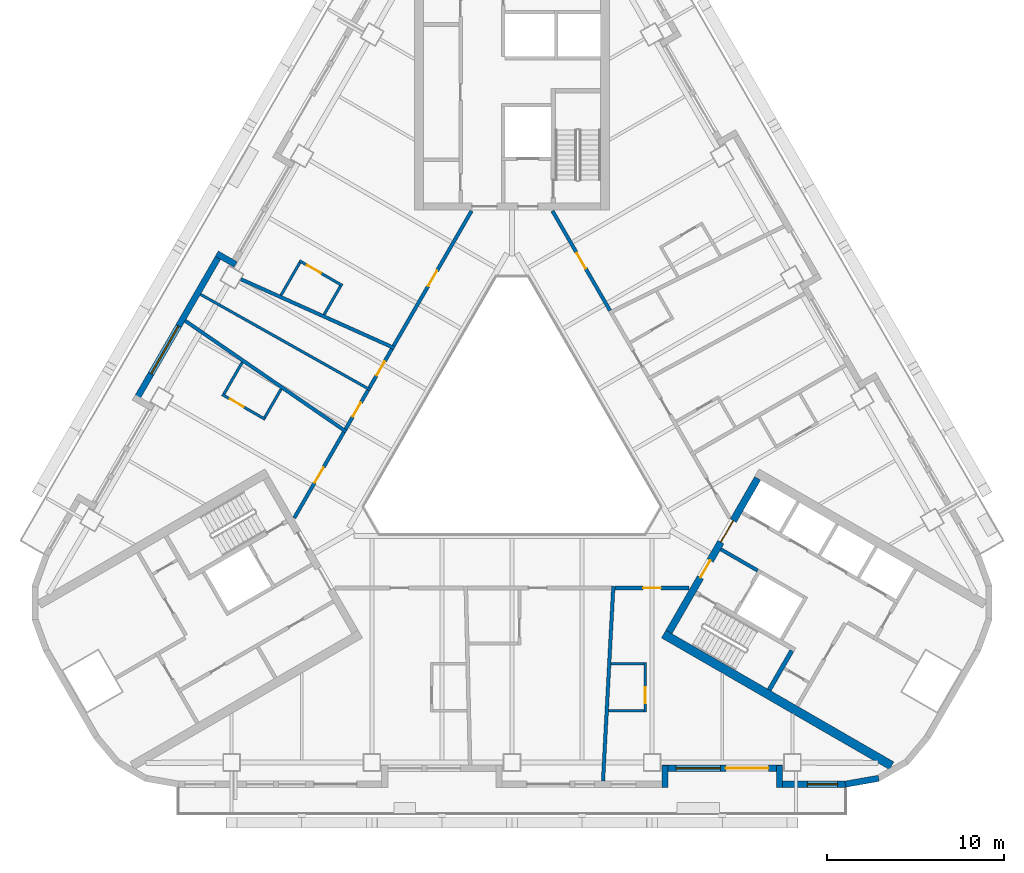
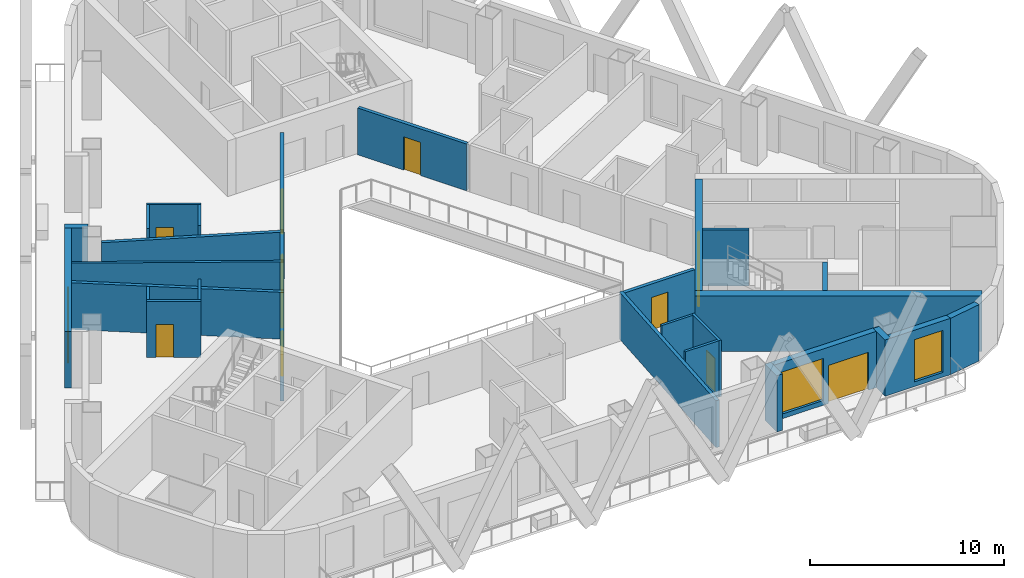
# One storey, part 4 of 13: 30 walls, 12 doors, 3 windows, 15 openings.
"""IFC4 building model written with IfcOpenShell, lengths in metres."""

from ifc_helpers import new_model, si_unit, direction, frame, frame_2d, origin, place, context, subcontext, project, spatial, rectangle, extrude, material, layer, layer_set, type_object, element, fill, save


model = new_model("IFC4")

# Units and contexts
model_context = context("Model", 3, precision=1e-05, world=origin(), true_north=direction((0.0, 1.0)))
body_context = subcontext(model_context, "Body", "Model", "MODEL_VIEW")
ifc_project = project(units=[si_unit("LENGTHUNIT", "METRE"), si_unit("AREAUNIT", "SQUARE_METRE"), si_unit("VOLUMEUNIT", "CUBIC_METRE"), si_unit("PLANEANGLEUNIT", "RADIAN"), si_unit("MASSUNIT", "GRAM", prefix="KILO")], contexts=[model_context])

# Site, building, storey
site_placement = place(None, origin())
site = spatial("IfcSite", under=ifc_project, at=site_placement, CompositionType="ELEMENT")
building_placement = place(site_placement, origin())
building = spatial("IfcBuilding", under=site, at=building_placement, Name="Apuvela Tower Hotel", CompositionType="ELEMENT")
storey_placement = place(building_placement, frame((0.0, 0.0, 83.5)))
storey = spatial("IfcBuildingStorey", under=building, at=storey_placement, Name="L18", CompositionType="ELEMENT", Elevation=83.5)

# Wall, openings, doors
ifc_material_1 = material(Name="Concrete C50/60", Category="concrete")
ifc_layer_1 = layer(ifc_material_1, 0.39990234375)
ifc_layer_set_1 = layer_set([ifc_layer_1], Name="COR-WALL-CORE-400")
wall_type_1 = type_object("IfcWallType", Name="COR-WALL-CORE-400", PredefinedType="SHEAR", material=ifc_layer_set_1)
wall_1_placement = place(storey_placement, frame((8.844970703125, -10.880126953125, 0.0), z_axis=(0.0, 0.0, 1.0), x_axis=(0.500004234368, 0.866022959057, 0.0)))
wall_1 = element("IfcWall", 1, at=wall_1_placement, inside=storey, type_object=wall_type_1, Name="Core wall SE", PredefinedType="SHEAR", context=body_context, shape_type="SweptSolid", body=[
    extrude(rectangle(XDim=10.0, YDim=0.39990234375, at=frame_2d((5.0, 0.0))), origin(), (0.0, 0.0, 1.0), 3.5),
])
opening_1_placement = place(wall_1_placement, frame((3.550048828125, 0.0, 0.0)))
opening_1 = element("IfcOpeningElement", 2, at=opening_1_placement, cuts=wall_1, Name="Opening E-FD", PredefinedType="OPENING", context=body_context, shape_type="SweptSolid", body=[
    extrude(rectangle(XDim=1.10009765625, YDim=2.10009765625, at=frame_2d((0.550048828125, 1.050048828125))), frame((0.0, 0.2099609375, 0.0), z_axis=(0.0, -1.0, 0.0), x_axis=(1.0, 0.0, 0.0)), (0.0, 0.0, 1.0), 0.419921875),
])
opening_2_placement = place(wall_1_placement, frame((5.85009765625, 0.0, 0.0)))
opening_2 = element("IfcOpeningElement", 3, at=opening_2_placement, cuts=wall_1, Name="Opening E-GD", PredefinedType="OPENING", context=body_context, shape_type="SweptSolid", body=[
    extrude(rectangle(XDim=1.39990234375, YDim=2.10009765625, at=frame_2d((0.699951171875, 1.050048828125))), frame((0.0, 0.2099609375, 0.0), z_axis=(0.0, -1.0, 0.0), x_axis=(1.0, 0.0, 0.0)), (0.0, 0.0, 1.0), 0.419921875),
])
ifc_material_2 = material(Name="Steel fire door, powder coated", Category="steel")
door_type_1 = type_object("IfcDoorType", Name="COR-FD-1100", OperationType="NOTDEFINED", PredefinedType="DOOR", material=ifc_material_2)
door_1_placement = place(opening_1_placement, frame((1.10009765625, 0.0, 0.0), z_axis=(0.0, 0.0, 1.0), x_axis=(-1.0, 0.0, 0.0)))
door_1 = element("IfcDoor", 4, at=door_1_placement, inside=storey, type_object=door_type_1, Name="Firefighting lobby door E-FD", OperationType="SINGLE_SWING_LEFT", OverallHeight=2.10009765625, OverallWidth=1.10009765625, PredefinedType="DOOR", context=body_context, shape_type="SweptSolid", body=[
    extrude(rectangle(XDim=1.10009765625, YDim=2.10009765625, at=frame_2d((0.550048828125, 1.050048828125))), frame((0.0, 0.02490234375, 0.0), z_axis=(0.0, -1.0, 0.0), x_axis=(1.0, 0.0, 0.0)), (0.0, 0.0, 1.0), 0.050048828125),
])
fill(opening_1, door_1)
ifc_material_3 = material(Name="Glazed steel fire door", Category="steel")
door_type_2 = type_object("IfcDoorType", Name="COR-GD-1400", OperationType="DOUBLE_DOOR_SINGLE_SWING", PredefinedType="DOOR", material=ifc_material_3)
door_2_placement = place(opening_2_placement, frame((1.39990234375, 0.0, 0.0), z_axis=(0.0, 0.0, 1.0), x_axis=(-1.0, 0.0, 0.0)))
door_2 = element("IfcDoor", 5, at=door_2_placement, inside=storey, type_object=door_type_2, Name="Lift lobby door E-GD", OperationType="DOUBLE_DOOR_SINGLE_SWING", OverallHeight=2.10009765625, OverallWidth=1.39990234375, PredefinedType="DOOR", context=body_context, shape_type="SweptSolid", body=[
    extrude(rectangle(XDim=1.39990234375, YDim=2.10009765625, at=frame_2d((0.699951171875, 1.050048828125))), frame((0.0, 0.02490234375, 0.0), z_axis=(0.0, -1.0, 0.0), x_axis=(1.0, 0.0, 0.0)), (0.0, 0.0, 1.0), 0.050048828125),
])
fill(opening_2, door_2)

# Walls
ifc_layer_2 = layer(ifc_material_1, 0.5)
ifc_layer_set_2 = layer_set([ifc_layer_2], Name="COR-WALL-CORE-500")
wall_type_2 = type_object("IfcWallType", Name="COR-WALL-CORE-500", PredefinedType="SHEAR", material=ifc_layer_set_2)
wall_2_placement = place(storey_placement, frame((8.546630859375, -10.99658203125, 0.0), z_axis=(0.0, 0.0, 1.0), x_axis=(0.866025009528, -0.500000682871, 0.0)))
element("IfcWall", 6, at=wall_2_placement, inside=storey, type_object=wall_type_2, Name="Core wall SE", PredefinedType="SHEAR", context=body_context, shape_type="SweptSolid", body=[
    extrude(rectangle(XDim=14.8369140625, YDim=0.5, at=frame_2d((7.41845703125, 0.0))), origin(), (0.0, 0.0, 1.0), 3.5),
])
ifc_layer_3 = layer(ifc_material_1, 0.199951171875)
ifc_layer_set_3 = layer_set([ifc_layer_3], Name="COR-WALL-SHAFT-200")
wall_type_3 = type_object("IfcWallType", Name="COR-WALL-SHAFT-200", PredefinedType="SHEAR", material=ifc_layer_set_3)
wall_3_placement = place(storey_placement, frame((11.76806640625, -6.217041015625, 0.0), z_axis=(0.0, 0.0, 1.0), x_axis=(0.866050077142, -0.499957262057, 0.0)))
element("IfcWall", 7, at=wall_3_placement, inside=storey, type_object=wall_type_3, Name="Shaft wall SE", PredefinedType="SHEAR", context=body_context, shape_type="SweptSolid", body=[
    extrude(rectangle(XDim=2.400146484375, YDim=0.199951171875, at=frame_2d((1.2001953125, 0.0))), origin(), (0.0, 0.0, 1.0), 3.5),
])
ifc_layer_4 = layer(ifc_material_1, 0.25)
ifc_layer_set_4 = layer_set([ifc_layer_4], Name="COR-WALL-STAIR-250")
wall_type_4 = type_object("IfcWallType", Name="COR-WALL-STAIR-250", PredefinedType="SHEAR", material=ifc_layer_set_4)
wall_4_placement = place(storey_placement, frame((14.49560546875, -14.142578125, 0.0), z_axis=(0.0, 0.0, 1.0), x_axis=(0.500062241894, 0.865989465428, 0.0)))
element("IfcWall", 8, at=wall_4_placement, inside=storey, type_object=wall_type_4, Name="Stair wall SE", PredefinedType="SHEAR", context=body_context, shape_type="SweptSolid", body=[
    extrude(rectangle(XDim=2.550048828125, YDim=0.25, at=frame_2d((1.27490234375, 0.0))), origin(), (0.0, 0.0, 1.0), 3.5),
])
ifc_material_4 = material(Name="Concrete C40/50, dark pigmented precast panel", Category="concrete")
ifc_layer_5 = layer(ifc_material_4, 0.35009765625)
ifc_layer_set_5 = layer_set([ifc_layer_5], Name="ENV-WALL-350")
wall_type_5 = type_object("IfcWallType", Name="ENV-WALL-350", PredefinedType="SOLIDWALL", material=ifc_layer_set_5)
wall_5_placement = place(storey_placement, frame((-15.580810546875, 9.8330078125, 0.0), z_axis=(0.0, 0.0, 1.0), x_axis=(-0.866055662726, 0.499947586314, 0.0)))
element("IfcWall", 9, at=wall_5_placement, inside=storey, type_object=wall_type_5, Name="External wall L18-04", PredefinedType="SOLIDWALL", context=body_context, shape_type="SweptSolid", body=[
    extrude(rectangle(XDim=1.220458984375, YDim=0.35009765625, at=frame_2d((0.6103515625, 0.0))), origin(), (0.0, 0.0, 1.0), 3.550048828125),
])

# Wall, opening, window
wall_6_placement = place(storey_placement, frame((-16.3984375, 10.507080078125, 0.0), z_axis=(0.0, 0.0, 1.0), x_axis=(-0.499999142773, -0.866025898704, 0.0)))
wall_6 = element("IfcWall", 10, at=wall_6_placement, inside=storey, type_object=wall_type_5, Name="External wall L18-05", PredefinedType="SOLIDWALL", context=body_context, shape_type="SweptSolid", body=[
    extrude(rectangle(XDim=9.7001953125, YDim=0.35009765625, at=frame_2d((4.85009765625, 0.0))), origin(), (0.0, 0.0, 1.0), 3.550048828125),
])
opening_3_placement = place(wall_6_placement, frame((4.7900390625, 0.0, 0.300048828125)))
opening_3 = element("IfcOpeningElement", 11, at=opening_3_placement, cuts=wall_6, Name="Opening WN31", PredefinedType="OPENING", context=body_context, shape_type="SweptSolid", body=[
    extrude(rectangle(XDim=3.10009765625, YDim=2.64990234375, at=frame_2d((1.550048828125, 1.324951171875))), frame((0.0, 0.18505859375, 0.0), z_axis=(0.0, -1.0, 0.0), x_axis=(1.0, 0.0, 0.0)), (0.0, 0.0, 1.0), 0.3701171875),
])
ifc_material_5 = material(Name="Glass, dark tinted laminated insulated glazing unit", Category="glass")
window_type_1 = type_object("IfcWindowType", Name="ENV-WIN-3100x2650", PartitioningType="SINGLE_PANEL", PredefinedType="WINDOW", material=ifc_material_5)
window_1_placement = place(opening_3_placement, origin())
window_1 = element("IfcWindow", 12, at=window_1_placement, inside=storey, type_object=window_type_1, Name="Window WN31", OverallHeight=2.64990234375, OverallWidth=3.10009765625, PartitioningType="SINGLE_PANEL", PredefinedType="WINDOW", context=body_context, shape_type="SweptSolid", body=[
    extrude(rectangle(XDim=3.10009765625, YDim=2.64990234375, at=frame_2d((1.550048828125, 1.324951171875))), frame((0.0, 0.030029296875, 0.0), z_axis=(0.0, -1.0, 0.0), x_axis=(1.0, 0.0, 0.0)), (0.0, 0.0, 1.0), 0.06005859375),
])
fill(opening_3, window_1)

# Wall
wall_7_placement = place(storey_placement, frame((8.625, -19.6298828125, 0.0), z_axis=(0.0, 0.0, 1.0), x_axis=(0.0, 1.0, 0.0)))
element("IfcWall", 13, at=wall_7_placement, inside=storey, type_object=wall_type_5, Name="External wall L18-22", PredefinedType="SOLIDWALL", context=body_context, shape_type="SweptSolid", body=[
    extrude(rectangle(XDim=1.219970703125, YDim=0.35009765625, at=frame_2d((0.60986328125, 0.0))), origin(), (0.0, 0.0, 1.0), 3.550048828125),
])

# Wall, openings, door, window
wall_8_placement = place(storey_placement, frame((8.47998046875, -18.554931640625, 0.0), z_axis=(0.0, 0.0, 1.0), x_axis=(1.0, 0.0, 0.0)))
wall_8 = element("IfcWall", 14, at=wall_8_placement, inside=storey, type_object=wall_type_5, Name="External wall L18-23", PredefinedType="SOLIDWALL", context=body_context, shape_type="SweptSolid", body=[
    extrude(rectangle(XDim=6.739990234375, YDim=0.35009765625, at=frame_2d((3.3701171875, 0.0))), origin(), (0.0, 0.0, 1.0), 3.550048828125),
])
opening_4_placement = place(wall_8_placement, frame((3.570068359375, 0.0, 0.0)))
opening_4 = element("IfcOpeningElement", 15, at=opening_4_placement, cuts=wall_8, Name="Opening BD24", PredefinedType="OPENING", context=body_context, shape_type="SweptSolid", body=[
    extrude(rectangle(XDim=2.39990234375, YDim=2.39990234375, at=frame_2d((1.199951171875, 1.199951171875))), frame((0.0, 0.18505859375, 0.0), z_axis=(0.0, -1.0, 0.0), x_axis=(1.0, 0.0, 0.0)), (0.0, 0.0, 1.0), 0.3701171875),
])
opening_5_placement = place(wall_8_placement, frame((0.77001953125, 0.0, 0.300048828125)))
opening_5 = element("IfcOpeningElement", 16, at=opening_5_placement, cuts=wall_8, Name="Opening WN25", PredefinedType="OPENING", context=body_context, shape_type="SweptSolid", body=[
    extrude(rectangle(XDim=2.5, YDim=2.64990234375, at=frame_2d((1.25, 1.324951171875))), frame((0.0, 0.18505859375, 0.0), z_axis=(0.0, -1.0, 0.0), x_axis=(1.0, 0.0, 0.0)), (0.0, 0.0, 1.0), 0.3701171875),
])
ifc_material_6 = material(Name="Aluminium 6063-T6, dark bronze anodised frame with dark tinted laminated glass", Category="aluminium")
door_type_3 = type_object("IfcDoorType", Name="ENV-DOOR-BALCONY-2400x2400", OperationType="SLIDING_TO_LEFT", PredefinedType="DOOR", material=ifc_material_6)
door_3_placement = place(opening_4_placement, frame((2.39990234375, 0.0, 0.0), z_axis=(0.0, 0.0, 1.0), x_axis=(-1.0, 0.0, 0.0)))
door_3 = element("IfcDoor", 17, at=door_3_placement, inside=storey, type_object=door_type_3, Name="Balcony door BD24", OperationType="SLIDING_TO_LEFT", OverallHeight=2.39990234375, OverallWidth=2.39990234375, PredefinedType="DOOR", context=body_context, shape_type="SweptSolid", body=[
    extrude(rectangle(XDim=2.39990234375, YDim=2.39990234375, at=frame_2d((1.199951171875, 1.199951171875))), frame((0.0, 0.02490234375, 0.0), z_axis=(0.0, -1.0, 0.0), x_axis=(1.0, 0.0, 0.0)), (0.0, 0.0, 1.0), 0.050048828125),
])
fill(opening_4, door_3)
window_type_2 = type_object("IfcWindowType", Name="ENV-WIN-2500x2650", PartitioningType="SINGLE_PANEL", PredefinedType="WINDOW", material=ifc_material_5)
window_2_placement = place(opening_5_placement, origin())
window_2 = element("IfcWindow", 18, at=window_2_placement, inside=storey, type_object=window_type_2, Name="Window WN25", OverallHeight=2.64990234375, OverallWidth=2.5, PartitioningType="SINGLE_PANEL", PredefinedType="WINDOW", context=body_context, shape_type="SweptSolid", body=[
    extrude(rectangle(XDim=2.5, YDim=2.64990234375, at=frame_2d((1.25, 1.324951171875))), frame((0.0, 0.030029296875, 0.0), z_axis=(0.0, -1.0, 0.0), x_axis=(1.0, 0.0, 0.0)), (0.0, 0.0, 1.0), 0.06005859375),
])
fill(opening_5, window_2)

# Wall
wall_9_placement = place(storey_placement, frame((15.074951171875, -18.409912109375, 0.0), z_axis=(0.0, 0.0, 1.0), x_axis=(0.0, -1.0, 0.0)))
element("IfcWall", 19, at=wall_9_placement, inside=storey, type_object=wall_type_5, Name="External wall L18-24", PredefinedType="SOLIDWALL", context=body_context, shape_type="SweptSolid", body=[
    extrude(rectangle(XDim=1.219970703125, YDim=0.35009765625, at=frame_2d((0.60986328125, 0.0))), origin(), (0.0, 0.0, 1.0), 3.550048828125),
])

# Wall, opening, window
wall_10_placement = place(storey_placement, frame((14.89990234375, -19.455078125, 0.0), z_axis=(0.0, 0.0, 1.0), x_axis=(1.0, 0.0, 0.0)))
wall_10 = element("IfcWall", 20, at=wall_10_placement, inside=storey, type_object=wall_type_5, Name="External wall L18-25", PredefinedType="SOLIDWALL", context=body_context, shape_type="SweptSolid", body=[
    extrude(rectangle(XDim=3.916015625, YDim=0.35009765625, at=frame_2d((1.9580078125, 0.0))), origin(), (0.0, 0.0, 1.0), 3.550048828125),
])
opening_6_placement = place(wall_10_placement, frame((1.749755859375, 0.0, 0.300048828125)))
opening_6 = element("IfcOpeningElement", 21, at=opening_6_placement, cuts=wall_10, Name="Opening WN17", PredefinedType="OPENING", context=body_context, shape_type="SweptSolid", body=[
    extrude(rectangle(XDim=1.699951171875, YDim=2.64990234375, at=frame_2d((0.85009765625, 1.324951171875))), frame((0.0, 0.18505859375, 0.0), z_axis=(0.0, -1.0, 0.0), x_axis=(1.0, 0.0, 0.0)), (0.0, 0.0, 1.0), 0.3701171875),
])
window_type_3 = type_object("IfcWindowType", Name="ENV-WIN-1700x2650", PartitioningType="SINGLE_PANEL", PredefinedType="WINDOW", material=ifc_material_5)
window_3_placement = place(opening_6_placement, origin())
window_3 = element("IfcWindow", 22, at=window_3_placement, inside=storey, type_object=window_type_3, Name="Window WN17", OverallHeight=2.64990234375, OverallWidth=1.699951171875, PartitioningType="SINGLE_PANEL", PredefinedType="WINDOW", context=body_context, shape_type="SweptSolid", body=[
    extrude(rectangle(XDim=1.699951171875, YDim=2.64990234375, at=frame_2d((0.85009765625, 1.324951171875))), frame((0.0, 0.030029296875, 0.0), z_axis=(0.0, -1.0, 0.0), x_axis=(1.0, 0.0, 0.0)), (0.0, 0.0, 1.0), 0.06005859375),
])
fill(opening_6, window_3)

# Walls
wall_11_placement = place(storey_placement, frame((18.785400390625, -19.457763671875, 0.0), z_axis=(0.0, 0.0, 1.0), x_axis=(0.984798995425, 0.173697837091, 0.0)))
element("IfcWall", 23, at=wall_11_placement, inside=storey, type_object=wall_type_5, Name="External wall L18-26", PredefinedType="SOLIDWALL", context=body_context, shape_type="SweptSolid", body=[
    extrude(rectangle(XDim=1.91015625, YDim=0.35009765625, at=frame_2d((0.955078125, 0.0))), origin(), (0.0, 0.0, 1.0), 3.550048828125),
])
ifc_material_7 = material(Name="Gypsum board partition on twin steel stud", Category="steel")
ifc_layer_6 = layer(ifc_material_7, 0.199951171875)
ifc_layer_set_6 = layer_set([ifc_layer_6], Name="GST-PW1")
wall_type_6 = type_object("IfcWallType", Name="GST-PW1", PredefinedType="PARTITIONING", material=ifc_layer_set_6)
wall_12_placement = place(storey_placement, frame((5.1298828125, -19.280029296875, 0.0), z_axis=(0.0, 0.0, 1.0), x_axis=(0.052823378142, 0.998603870772, 0.0)))
element("IfcWall", 24, at=wall_12_placement, inside=storey, type_object=wall_type_6, Name="L18 partition 02", PredefinedType="PARTITIONING", context=body_context, shape_type="SweptSolid", body=[
    extrude(rectangle(XDim=10.995361328125, YDim=0.199951171875, at=frame_2d((5.49755859375, 0.0))), origin(), (0.0, 0.0, 1.0), 2.9599609375),
])
wall_13_placement = place(storey_placement, frame((-15.275390625, 9.001953125, 0.0), z_axis=(0.0, 0.0, 1.0), x_axis=(0.912310970981, -0.409498097954, 0.0)))
element("IfcWall", 25, at=wall_13_placement, inside=storey, type_object=wall_type_6, Name="L18 partition 06", PredefinedType="PARTITIONING", context=body_context, shape_type="SweptSolid", body=[
    extrude(rectangle(XDim=9.47900390625, YDim=0.199951171875, at=frame_2d((4.739501953125, 0.0))), origin(), (0.0, 0.0, 1.0), 2.949951171875),
])
wall_14_placement = place(storey_placement, frame((-18.4169921875, 6.660888671875, 0.0), z_axis=(0.0, 0.0, 1.0), x_axis=(0.823524858714, -0.56728018393, 0.0)))
element("IfcWall", 26, at=wall_14_placement, inside=storey, type_object=wall_type_6, Name="L18 partition 07", PredefinedType="PARTITIONING", context=body_context, shape_type="SweptSolid", body=[
    extrude(rectangle(XDim=11.014892578125, YDim=0.199951171875, at=frame_2d((5.50732421875, 0.0))), origin(), (0.0, 0.0, 1.0), 2.949951171875),
])

# Wall, opening, door
ifc_material_8 = material(Name="Gypsum board corridor wall on twin steel stud, acoustic", Category="steel")
ifc_layer_7 = layer(ifc_material_8, 0.199951171875)
ifc_layer_set_7 = layer_set([ifc_layer_7], Name="GST-PW2")
wall_type_7 = type_object("IfcWallType", Name="GST-PW2", PredefinedType="PARTITIONING", material=ifc_layer_set_7)
wall_15_placement = place(storey_placement, frame((9.98828125, -8.39990234375, 0.0), z_axis=(0.0, 0.0, 1.0), x_axis=(-1.0, 0.0, 0.0)))
wall_15 = element("IfcWall", 27, at=wall_15_placement, inside=storey, type_object=wall_type_7, Name="L18 partition 15", PredefinedType="PARTITIONING", context=body_context, shape_type="SweptSolid", body=[
    extrude(rectangle(XDim=4.182861328125, YDim=0.199951171875, at=frame_2d((2.09130859375, 0.0))), origin(), (0.0, 0.0, 1.0), 2.949951171875),
])
opening_7_placement = place(wall_15_placement, frame((1.59130859375, 0.0, 0.0)))
opening_7 = element("IfcOpeningElement", 28, at=opening_7_placement, cuts=wall_15, Name="Opening GD05-06", PredefinedType="OPENING", context=body_context, shape_type="SweptSolid", body=[
    extrude(rectangle(XDim=1.0, YDim=2.10009765625, at=frame_2d((0.5, 1.050048828125))), frame((0.0, 0.10986328125, 0.0), z_axis=(0.0, -1.0, 0.0), x_axis=(1.0, 0.0, 0.0)), (0.0, 0.0, 1.0), 0.219970703125),
])
ifc_material_9 = material(Name="Timber door leaf in steel frame", Category="steel")
door_type_4 = type_object("IfcDoorType", Name="GST-D1", OperationType="NOTDEFINED", PredefinedType="DOOR", material=ifc_material_9)
door_4_placement = place(opening_7_placement, origin())
door_4 = element("IfcDoor", 29, at=door_4_placement, inside=storey, type_object=door_type_4, Name="Door L18-06", OperationType="SINGLE_SWING_RIGHT", OverallHeight=2.10009765625, OverallWidth=1.0, PredefinedType="DOOR", context=body_context, shape_type="SweptSolid", body=[
    extrude(rectangle(XDim=1.0, YDim=2.10009765625, at=frame_2d((0.5, 1.050048828125))), frame((0.0, 0.02490234375, 0.0), z_axis=(0.0, -1.0, 0.0), x_axis=(1.0, 0.0, 0.0)), (0.0, 0.0, 1.0), 0.050048828125),
])
fill(opening_7, door_4)

wall_16_placement = place(storey_placement, frame((2.280517578125, 12.85009765625, 0.0), z_axis=(0.0, 0.0, 1.0), x_axis=(0.500015893381, -0.866016227542, 0.0)))
wall_16 = element("IfcWall", 30, at=wall_16_placement, inside=storey, type_object=wall_type_7, Name="L18 partition 29", PredefinedType="PARTITIONING", context=body_context, shape_type="SweptSolid", body=[
    extrude(rectangle(XDim=6.481689453125, YDim=0.199951171875, at=frame_2d((3.24072265625, 0.0))), origin(), (0.0, 0.0, 1.0), 2.949951171875),
])
opening_8_placement = place(wall_16_placement, frame((2.74072265625, 0.0, 0.0)))
opening_8 = element("IfcOpeningElement", 31, at=opening_8_placement, cuts=wall_16, Name="Opening GD05-14", PredefinedType="OPENING", context=body_context, shape_type="SweptSolid", body=[
    extrude(rectangle(XDim=1.0, YDim=2.10009765625, at=frame_2d((0.5, 1.050048828125))), frame((0.0, 0.10986328125, 0.0), z_axis=(0.0, -1.0, 0.0), x_axis=(1.0, 0.0, 0.0)), (0.0, 0.0, 1.0), 0.219970703125),
])
door_5_placement = place(opening_8_placement, origin())
door_5 = element("IfcDoor", 32, at=door_5_placement, inside=storey, type_object=door_type_4, Name="Door L18-14", OperationType="SINGLE_SWING_RIGHT", OverallHeight=2.10009765625, OverallWidth=1.0, PredefinedType="DOOR", context=body_context, shape_type="SweptSolid", body=[
    extrude(rectangle(XDim=1.0, YDim=2.10009765625, at=frame_2d((0.5, 1.050048828125))), frame((0.0, 0.02490234375, 0.0), z_axis=(0.0, -1.0, 0.0), x_axis=(1.0, 0.0, 0.0)), (0.0, 0.0, 1.0), 0.050048828125),
])
fill(opening_8, door_5)

wall_17_placement = place(storey_placement, frame((-6.669189453125, 5.24853515625, 0.0), z_axis=(0.0, 0.0, 1.0), x_axis=(0.499992114976, 0.866029956157, 0.0)))
wall_17 = element("IfcWall", 33, at=wall_17_placement, inside=storey, type_object=wall_type_7, Name="L18 partition 33", PredefinedType="PARTITIONING", context=body_context, shape_type="SweptSolid", body=[
    extrude(rectangle(XDim=8.777587890625, YDim=0.199951171875, at=frame_2d((4.388671875, 0.0))), origin(), (0.0, 0.0, 1.0), 2.949951171875),
])
opening_9_placement = place(wall_17_placement, frame((3.888916015625, 0.0, 0.0)))
opening_9 = element("IfcOpeningElement", 34, at=opening_9_placement, cuts=wall_17, Name="Opening GD05-16", PredefinedType="OPENING", context=body_context, shape_type="SweptSolid", body=[
    extrude(rectangle(XDim=1.0, YDim=2.10009765625, at=frame_2d((0.5, 1.050048828125))), frame((0.0, 0.10986328125, 0.0), z_axis=(0.0, -1.0, 0.0), x_axis=(1.0, 0.0, 0.0)), (0.0, 0.0, 1.0), 0.219970703125),
])
door_6_placement = place(opening_9_placement, origin())
door_6 = element("IfcDoor", 35, at=door_6_placement, inside=storey, type_object=door_type_4, Name="Door L18-16", OperationType="SINGLE_SWING_LEFT", OverallHeight=2.10009765625, OverallWidth=1.0, PredefinedType="DOOR", context=body_context, shape_type="SweptSolid", body=[
    extrude(rectangle(XDim=1.0, YDim=2.10009765625, at=frame_2d((0.5, 1.050048828125))), frame((0.0, 0.02490234375, 0.0), z_axis=(0.0, -1.0, 0.0), x_axis=(1.0, 0.0, 0.0)), (0.0, 0.0, 1.0), 0.050048828125),
])
fill(opening_9, door_6)

wall_18_placement = place(storey_placement, frame((-8.03662109375, 2.88037109375, 0.0), z_axis=(0.0, 0.0, 1.0), x_axis=(0.500025521233, 0.866010668592, 0.0)))
wall_18 = element("IfcWall", 36, at=wall_18_placement, inside=storey, type_object=wall_type_7, Name="L18 partition 38", PredefinedType="PARTITIONING", context=body_context, shape_type="SweptSolid", body=[
    extrude(rectangle(XDim=2.533447265625, YDim=0.199951171875, at=frame_2d((1.2666015625, 0.0))), origin(), (0.0, 0.0, 1.0), 2.949951171875),
])
opening_10_placement = place(wall_18_placement, frame((0.81689453125, 0.0, 0.0)))
opening_10 = element("IfcOpeningElement", 37, at=opening_10_placement, cuts=wall_18, Name="Opening GD05-17", PredefinedType="OPENING", context=body_context, shape_type="SweptSolid", body=[
    extrude(rectangle(XDim=0.89990234375, YDim=2.10009765625, at=frame_2d((0.449951171875, 1.050048828125))), frame((0.0, 0.10986328125, 0.0), z_axis=(0.0, -1.0, 0.0), x_axis=(1.0, 0.0, 0.0)), (0.0, 0.0, 1.0), 0.219970703125),
])
door_type_5 = type_object("IfcDoorType", Name="GST-D2", OperationType="NOTDEFINED", PredefinedType="DOOR", material=ifc_material_9)
door_7_placement = place(opening_10_placement, origin())
door_7 = element("IfcDoor", 38, at=door_7_placement, inside=storey, type_object=door_type_5, Name="Door L18-17", OperationType="SINGLE_SWING_LEFT", OverallHeight=2.10009765625, OverallWidth=0.89990234375, PredefinedType="DOOR", context=body_context, shape_type="SweptSolid", body=[
    extrude(rectangle(XDim=0.89990234375, YDim=2.10009765625, at=frame_2d((0.449951171875, 1.050048828125))), frame((0.0, 0.02490234375, 0.0), z_axis=(0.0, -1.0, 0.0), x_axis=(1.0, 0.0, 0.0)), (0.0, 0.0, 1.0), 0.050048828125),
])
fill(opening_10, door_7)

wall_19_placement = place(storey_placement, frame((-9.37841796875, 0.55615234375, 0.0), z_axis=(0.0, 0.0, 1.0), x_axis=(0.499983796486, 0.866034758685, 0.0)))
wall_19 = element("IfcWall", 39, at=wall_19_placement, inside=storey, type_object=wall_type_7, Name="L18 partition 39", PredefinedType="PARTITIONING", context=body_context, shape_type="SweptSolid", body=[
    extrude(rectangle(XDim=2.53369140625, YDim=0.199951171875, at=frame_2d((1.266845703125, 0.0))), origin(), (0.0, 0.0, 1.0), 2.949951171875),
])
opening_11_placement = place(wall_19_placement, frame((0.81689453125, 0.0, 0.0)))
opening_11 = element("IfcOpeningElement", 40, at=opening_11_placement, cuts=wall_19, Name="Opening GD05-18", PredefinedType="OPENING", context=body_context, shape_type="SweptSolid", body=[
    extrude(rectangle(XDim=0.89990234375, YDim=2.10009765625, at=frame_2d((0.449951171875, 1.050048828125))), frame((0.0, 0.10986328125, 0.0), z_axis=(0.0, -1.0, 0.0), x_axis=(1.0, 0.0, 0.0)), (0.0, 0.0, 1.0), 0.219970703125),
])
door_8_placement = place(opening_11_placement, origin())
door_8 = element("IfcDoor", 41, at=door_8_placement, inside=storey, type_object=door_type_5, Name="Door L18-18", OperationType="SINGLE_SWING_RIGHT", OverallHeight=2.10009765625, OverallWidth=0.89990234375, PredefinedType="DOOR", context=body_context, shape_type="SweptSolid", body=[
    extrude(rectangle(XDim=0.89990234375, YDim=2.10009765625, at=frame_2d((0.449951171875, 1.050048828125))), frame((0.0, 0.02490234375, 0.0), z_axis=(0.0, -1.0, 0.0), x_axis=(1.0, 0.0, 0.0)), (0.0, 0.0, 1.0), 0.050048828125),
])
fill(opening_11, door_8)

wall_20_placement = place(storey_placement, frame((-12.268798828125, -4.449951171875, 0.0), z_axis=(0.0, 0.0, 1.0), x_axis=(0.500016608416, 0.866015814699, 0.0)))
wall_20 = element("IfcWall", 42, at=wall_20_placement, inside=storey, type_object=wall_type_7, Name="L18 partition 40", PredefinedType="PARTITIONING", context=body_context, shape_type="SweptSolid", body=[
    extrude(rectangle(XDim=5.579833984375, YDim=0.199951171875, at=frame_2d((2.7900390625, 0.0))), origin(), (0.0, 0.0, 1.0), 2.949951171875),
])
opening_12_placement = place(wall_20_placement, frame((2.289794921875, 0.0, 0.0)))
opening_12 = element("IfcOpeningElement", 43, at=opening_12_placement, cuts=wall_20, Name="Opening GD05-20", PredefinedType="OPENING", context=body_context, shape_type="SweptSolid", body=[
    extrude(rectangle(XDim=1.0, YDim=2.10009765625, at=frame_2d((0.5, 1.050048828125))), frame((0.0, 0.10986328125, 0.0), z_axis=(0.0, -1.0, 0.0), x_axis=(1.0, 0.0, 0.0)), (0.0, 0.0, 1.0), 0.219970703125),
])
door_9_placement = place(opening_12_placement, origin())
door_9 = element("IfcDoor", 44, at=door_9_placement, inside=storey, type_object=door_type_4, Name="Door L18-20", OperationType="SINGLE_SWING_RIGHT", OverallHeight=2.10009765625, OverallWidth=1.0, PredefinedType="DOOR", context=body_context, shape_type="SweptSolid", body=[
    extrude(rectangle(XDim=1.0, YDim=2.10009765625, at=frame_2d((0.5, 1.050048828125))), frame((0.0, 0.02490234375, 0.0), z_axis=(0.0, -1.0, 0.0), x_axis=(1.0, 0.0, 0.0)), (0.0, 0.0, 1.0), 0.050048828125),
])
fill(opening_12, door_9)

ifc_material_10 = material(Name="Moisture-resistant gypsum board wet wall on steel stud", Category="steel")
ifc_layer_8 = layer(ifc_material_10, 0.14990234375)
ifc_layer_set_8 = layer_set([ifc_layer_8], Name="GST-PW3")
wall_type_8 = type_object("IfcWallType", Name="GST-PW3", PredefinedType="PARTITIONING", material=ifc_layer_set_8)
wall_21_placement = place(storey_placement, frame((7.50830078125, -15.39990234375, 0.0), z_axis=(0.0, 0.0, 1.0), x_axis=(0.0, 1.0, 0.0)))
wall_21 = element("IfcWall", 45, at=wall_21_placement, inside=storey, type_object=wall_type_8, Name="L18 partition 16", PredefinedType="PARTITIONING", context=body_context, shape_type="SweptSolid", body=[
    extrude(rectangle(XDim=2.7998046875, YDim=0.14990234375, at=frame_2d((1.39990234375, 0.0))), origin(), (0.0, 0.0, 1.0), 3.550048828125),
])
opening_13_placement = place(wall_21_placement, frame((0.5, 0.0, 0.0)))
opening_13 = element("IfcOpeningElement", 46, at=opening_13_placement, cuts=wall_21, Name="Opening GD05-05", PredefinedType="OPENING", context=body_context, shape_type="SweptSolid", body=[
    extrude(rectangle(XDim=0.89990234375, YDim=2.10009765625, at=frame_2d((0.449951171875, 1.050048828125))), frame((0.0, 0.0849609375, 0.0), z_axis=(0.0, -1.0, 0.0), x_axis=(1.0, 0.0, 0.0)), (0.0, 0.0, 1.0), 0.169921875),
])
door_10_placement = place(opening_13_placement, origin())
door_10 = element("IfcDoor", 47, at=door_10_placement, inside=storey, type_object=door_type_5, Name="Door L18-05", OperationType="SINGLE_SWING_LEFT", OverallHeight=2.10009765625, OverallWidth=0.89990234375, PredefinedType="DOOR", context=body_context, shape_type="SweptSolid", body=[
    extrude(rectangle(XDim=0.89990234375, YDim=2.10009765625, at=frame_2d((0.449951171875, 1.050048828125))), frame((0.0, 0.02490234375, 0.0), z_axis=(0.0, -1.0, 0.0), x_axis=(1.0, 0.0, 0.0)), (0.0, 0.0, 1.0), 0.050048828125),
])
fill(opening_13, door_10)

# Walls
wall_22_placement = place(storey_placement, frame((5.439208984375, -15.324951171875, 0.0), z_axis=(0.0, 0.0, 1.0), x_axis=(1.0, 0.0, 0.0)))
element("IfcWall", 48, at=wall_22_placement, inside=storey, type_object=wall_type_8, Name="L18 partition 17", PredefinedType="PARTITIONING", context=body_context, shape_type="SweptSolid", body=[
    extrude(rectangle(XDim=1.994140625, YDim=0.14990234375, at=frame_2d((0.9970703125, 0.0))), origin(), (0.0, 0.0, 1.0), 3.550048828125),
])
wall_23_placement = place(storey_placement, frame((5.579345703125, -12.675048828125, 0.0), z_axis=(0.0, 0.0, 1.0), x_axis=(1.0, 0.0, 0.0)))
element("IfcWall", 49, at=wall_23_placement, inside=storey, type_object=wall_type_8, Name="L18 partition 18", PredefinedType="PARTITIONING", context=body_context, shape_type="SweptSolid", body=[
    extrude(rectangle(XDim=1.85400390625, YDim=0.14990234375, at=frame_2d((0.927001953125, 0.0))), origin(), (0.0, 0.0, 1.0), 3.550048828125),
])

# Wall, opening, door
wall_24_placement = place(storey_placement, frame((-9.558349609375, 8.64453125, 0.0), z_axis=(0.0, 0.0, 1.0), x_axis=(-0.866034573852, 0.49998411664, 0.0)))
wall_24 = element("IfcWall", 50, at=wall_24_placement, inside=storey, type_object=wall_type_8, Name="L18 partition 34", PredefinedType="PARTITIONING", context=body_context, shape_type="SweptSolid", body=[
    extrude(rectangle(XDim=2.7998046875, YDim=0.14990234375, at=frame_2d((1.39990234375, 0.0))), origin(), (0.0, 0.0, 1.0), 3.550048828125),
])
opening_14_placement = place(wall_24_placement, frame((1.39990234375, 0.0, 0.0)))
opening_14 = element("IfcOpeningElement", 51, at=opening_14_placement, cuts=wall_24, Name="Opening GD05-15", PredefinedType="OPENING", context=body_context, shape_type="SweptSolid", body=[
    extrude(rectangle(XDim=0.89990234375, YDim=2.10009765625, at=frame_2d((0.449951171875, 1.050048828125))), frame((0.0, 0.0849609375, 0.0), z_axis=(0.0, -1.0, 0.0), x_axis=(1.0, 0.0, 0.0)), (0.0, 0.0, 1.0), 0.169921875),
])
door_11_placement = place(opening_14_placement, origin())
door_11 = element("IfcDoor", 52, at=door_11_placement, inside=storey, type_object=door_type_5, Name="Door L18-15", OperationType="SINGLE_SWING_RIGHT", OverallHeight=2.10009765625, OverallWidth=0.89990234375, PredefinedType="DOOR", context=body_context, shape_type="SweptSolid", body=[
    extrude(rectangle(XDim=0.89990234375, YDim=2.10009765625, at=frame_2d((0.449951171875, 1.050048828125))), frame((0.0, 0.02490234375, 0.0), z_axis=(0.0, -1.0, 0.0), x_axis=(1.0, 0.0, 0.0)), (0.0, 0.0, 1.0), 0.050048828125),
])
fill(opening_14, door_11)

# Walls
wall_25_placement = place(storey_placement, frame((-11.955810546875, 9.94189453125, 0.0), z_axis=(0.0, 0.0, 1.0), x_axis=(-0.50001378257, -0.866017446268, 0.0)))
element("IfcWall", 53, at=wall_25_placement, inside=storey, type_object=wall_type_8, Name="L18 partition 35", PredefinedType="PARTITIONING", context=body_context, shape_type="SweptSolid", body=[
    extrude(rectangle(XDim=2.1279296875, YDim=0.14990234375, at=frame_2d((1.06396484375, 0.0))), origin(), (0.0, 0.0, 1.0), 3.550048828125),
])
wall_26_placement = place(storey_placement, frame((-9.660888671875, 8.616943359375, 0.0), z_axis=(0.0, 0.0, 1.0), x_axis=(-0.499984136491, -0.866034562392, 0.0)))
element("IfcWall", 54, at=wall_26_placement, inside=storey, type_object=wall_type_8, Name="L18 partition 36", PredefinedType="PARTITIONING", context=body_context, shape_type="SweptSolid", body=[
    extrude(rectangle(XDim=1.857421875, YDim=0.14990234375, at=frame_2d((0.9287109375, 0.0))), origin(), (0.0, 0.0, 1.0), 3.550048828125),
])
wall_27_placement = place(storey_placement, frame((-17.556884765625, 8.150390625, 0.0), z_axis=(0.0, 0.0, 1.0), x_axis=(0.87154168957, -0.490321408202, 0.0)))
element("IfcWall", 55, at=wall_27_placement, inside=storey, type_object=wall_type_8, Name="L18 partition 37", PredefinedType="PARTITIONING", context=body_context, shape_type="SweptSolid", body=[
    extrude(rectangle(XDim=10.980712890625, YDim=0.14990234375, at=frame_2d((5.490234375, 0.0))), origin(), (0.0, 0.0, 1.0), 2.9599609375),
])

# Wall, opening, door
wall_28_placement = place(storey_placement, frame((-16.3359375, 2.50537109375, 0.0), z_axis=(0.0, 0.0, 1.0), x_axis=(0.866056369097, -0.49994636267, 0.0)))
wall_28 = element("IfcWall", 56, at=wall_28_placement, inside=storey, type_object=wall_type_8, Name="L18 partition 41", PredefinedType="PARTITIONING", context=body_context, shape_type="SweptSolid", body=[
    extrude(rectangle(XDim=2.800048828125, YDim=0.14990234375, at=frame_2d((1.39990234375, 0.0))), origin(), (0.0, 0.0, 1.0), 3.550048828125),
])
opening_15_placement = place(wall_28_placement, frame((0.5, 0.0, 0.0)))
opening_15 = element("IfcOpeningElement", 57, at=opening_15_placement, cuts=wall_28, Name="Opening GD05-19", PredefinedType="OPENING", context=body_context, shape_type="SweptSolid", body=[
    extrude(rectangle(XDim=0.89990234375, YDim=2.10009765625, at=frame_2d((0.449951171875, 1.050048828125))), frame((0.0, 0.0849609375, 0.0), z_axis=(0.0, -1.0, 0.0), x_axis=(1.0, 0.0, 0.0)), (0.0, 0.0, 1.0), 0.169921875),
])
door_12_placement = place(opening_15_placement, origin())
door_12 = element("IfcDoor", 58, at=door_12_placement, inside=storey, type_object=door_type_5, Name="Door L18-19", OperationType="SINGLE_SWING_LEFT", OverallHeight=2.10009765625, OverallWidth=0.89990234375, PredefinedType="DOOR", context=body_context, shape_type="SweptSolid", body=[
    extrude(rectangle(XDim=0.89990234375, YDim=2.10009765625, at=frame_2d((0.449951171875, 1.050048828125))), frame((0.0, 0.02490234375, 0.0), z_axis=(0.0, -1.0, 0.0), x_axis=(1.0, 0.0, 0.0)), (0.0, 0.0, 1.0), 0.050048828125),
])
fill(opening_15, door_12)

# Walls
wall_29_placement = place(storey_placement, frame((-15.19970703125, 4.3232421875, 0.0), z_axis=(0.0, 0.0, 1.0), x_axis=(-0.499974592989, -0.866040072032, 0.0)))
element("IfcWall", 59, at=wall_29_placement, inside=storey, type_object=wall_type_8, Name="L18 partition 42", PredefinedType="PARTITIONING", context=body_context, shape_type="SweptSolid", body=[
    extrude(rectangle(XDim=2.0673828125, YDim=0.14990234375, at=frame_2d((1.03369140625, 0.0))), origin(), (0.0, 0.0, 1.0), 2.949951171875),
])
wall_30_placement = place(storey_placement, frame((-13.010498046875, 2.815185546875, 0.0), z_axis=(0.0, 0.0, 1.0), x_axis=(-0.499972951856, -0.866041019474, 0.0)))
element("IfcWall", 60, at=wall_30_placement, inside=storey, type_object=wall_type_8, Name="L18 partition 43", PredefinedType="PARTITIONING", context=body_context, shape_type="SweptSolid", body=[
    extrude(rectangle(XDim=1.85595703125, YDim=0.14990234375, at=frame_2d((0.927978515625, 0.0))), origin(), (0.0, 0.0, 1.0), 3.550048828125),
])

save(model, "model.ifc")
